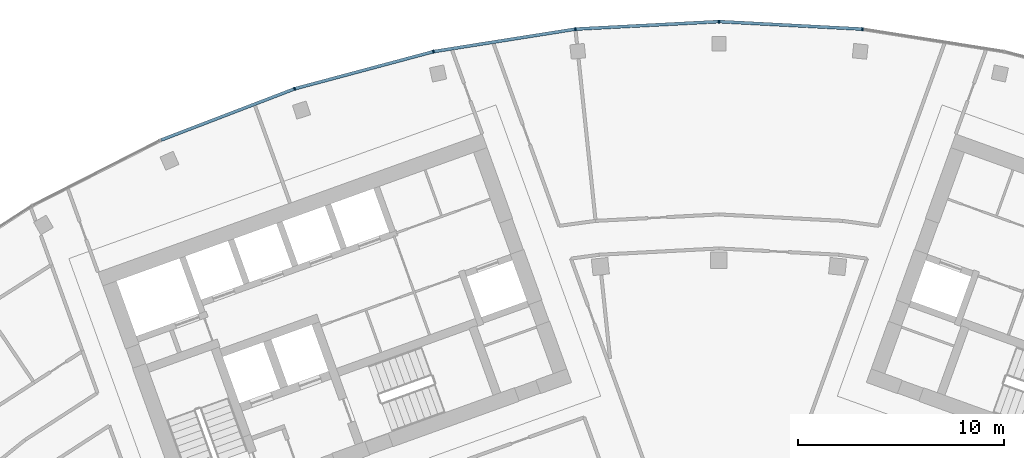
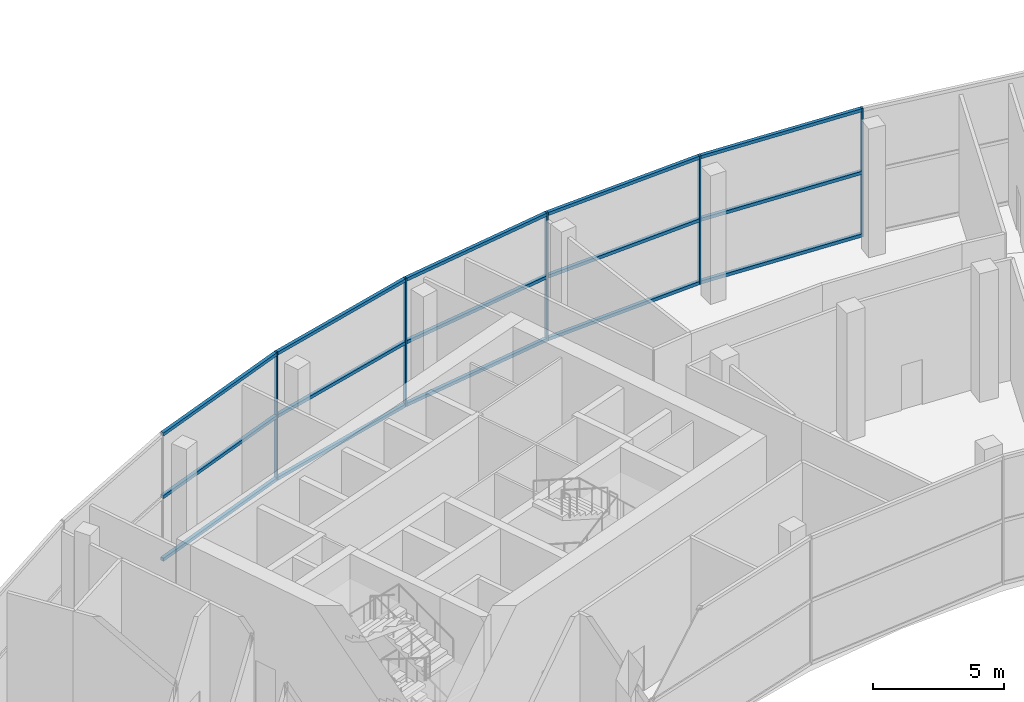
# One storey, part 5 of 18: 20 members, 1 element without a shape of its own.
"""IFC4 building model written with IfcOpenShell, lengths in metres."""

from ifc_helpers import new_model, si_unit, direction, frame, origin, origin_2d, place, context, subcontext, project, spatial, rectangle, extrude, material, layer, layer_set, material_profile, profile_set, type_object, element, aggregate, save


model = new_model("IFC4")

# Units and contexts
model_context = context("Model", 3, precision=1e-05, world=origin(), true_north=direction((0.0, 1.0)))
body_context = subcontext(model_context, "Body", "Model", "MODEL_VIEW")
ifc_project = project(units=[si_unit("LENGTHUNIT", "METRE"), si_unit("AREAUNIT", "SQUARE_METRE"), si_unit("VOLUMEUNIT", "CUBIC_METRE"), si_unit("PLANEANGLEUNIT", "RADIAN"), si_unit("MASSUNIT", "GRAM", prefix="KILO")], contexts=[model_context])

# Site, building, storey
site_placement = place(None, origin())
site = spatial("IfcSite", under=ifc_project, at=site_placement, CompositionType="ELEMENT")
building_placement = place(site_placement, origin())
building = spatial("IfcBuilding", under=site, at=building_placement, Name="Stone Belt Terrace Tower", CompositionType="ELEMENT")
storey_placement = place(building_placement, frame((0.0, 0.0, 307.39990234375)))
storey = spatial("IfcBuildingStorey", under=building, at=storey_placement, Name="L75", CompositionType="ELEMENT", Elevation=307.39990234375)

# Curtain wall, members
ifc_material = material(Name="Aluminium 6063-T6 anodised frame", Category="aluminium")
ifc_layer = layer(ifc_material, 0.14990234375)
ifc_layer_set = layer_set([ifc_layer], Name="CW-F observation floor curtain wall")
curtain_wall_type = type_object("IfcCurtainWallType", Name="CW-F observation floor curtain wall", PredefinedType="NOTDEFINED", material=ifc_layer_set)
curtain_wall_placement = place(storey_placement, origin())
curtain_wall = element("IfcCurtainWall", 1, at=curtain_wall_placement, inside=storey, type_object=curtain_wall_type, Name="CW-F convex face L75", PredefinedType="NOTDEFINED")
ifc_material_profile_1 = material_profile(ifc_material, rectangle(XDim=0.14990234375, YDim=0.070068359375, at=origin_2d()), Name="Aluminium 6063-T6 70x150")
ifc_profile_set_1 = profile_set([ifc_material_profile_1], Name="Aluminium 6063-T6 anodised frame")
member_type_1 = type_object("IfcMemberType", Name="CW-F mullion 70 x 150", PredefinedType="MULLION", material=ifc_profile_set_1)
member_1_placement = place(storey_placement, frame((6.958984375, 66.21044921875, 0.0), z_axis=(0.0, 0.0, 1.0), x_axis=(-0.104528463268, -0.994521895368, 0.0)))
member_1 = element("IfcMember", 2, at=member_1_placement, type_object=member_type_1, Name="CW-F mullion 7", PredefinedType="MULLION", context=body_context, shape_type="SweptSolid", body=[
    extrude(rectangle(XDim=0.14990234375, YDim=0.070068359375, at=origin_2d()), origin(), (0.0, 0.0, 1.0), 6.0),
])
member_2_placement = place(storey_placement, frame((0.0, 66.5751953125, 0.0), z_axis=(0.0, 0.0, 1.0), x_axis=(0.0, -1.0, 0.0)))
member_2 = element("IfcMember", 3, at=member_2_placement, type_object=member_type_1, Name="CW-F mullion 8", PredefinedType="MULLION", context=body_context, shape_type="SweptSolid", body=[
    extrude(rectangle(XDim=0.14990234375, YDim=0.070068359375, at=origin_2d()), origin(), (0.0, 0.0, 1.0), 6.0),
])
member_3_placement = place(storey_placement, frame((-6.958984375, 66.21044921875, 0.0), z_axis=(0.0, 0.0, 1.0), x_axis=(0.104528463268, -0.994521895368, 0.0)))
member_3 = element("IfcMember", 4, at=member_3_placement, type_object=member_type_1, Name="CW-F mullion 9", PredefinedType="MULLION", context=body_context, shape_type="SweptSolid", body=[
    extrude(rectangle(XDim=0.14990234375, YDim=0.070068359375, at=origin_2d()), origin(), (0.0, 0.0, 1.0), 6.0),
])
member_4_placement = place(storey_placement, frame((-13.841796875, 65.120361328125, 0.0), z_axis=(0.0, 0.0, 1.0), x_axis=(0.207911690818, -0.978147600734, 0.0)))
member_4 = element("IfcMember", 5, at=member_4_placement, type_object=member_type_1, Name="CW-F mullion 10", PredefinedType="MULLION", context=body_context, shape_type="SweptSolid", body=[
    extrude(rectangle(XDim=0.14990234375, YDim=0.070068359375, at=origin_2d()), origin(), (0.0, 0.0, 1.0), 6.0),
])
member_5_placement = place(storey_placement, frame((-20.57275390625, 63.316650390625, 0.0), z_axis=(0.0, 0.0, 1.0), x_axis=(0.309016994375, -0.951056516295, 0.0)))
member_5 = element("IfcMember", 6, at=member_5_placement, type_object=member_type_1, Name="CW-F mullion 11", PredefinedType="MULLION", context=body_context, shape_type="SweptSolid", body=[
    extrude(rectangle(XDim=0.14990234375, YDim=0.070068359375, at=origin_2d()), origin(), (0.0, 0.0, 1.0), 6.0),
])
ifc_material_profile_2 = material_profile(ifc_material, rectangle(XDim=0.14990234375, YDim=0.14990234375, at=origin_2d()), Name="Aluminium 6063-T6 150x150")
ifc_profile_set_2 = profile_set([ifc_material_profile_2], Name="Aluminium 6063-T6 anodised frame")
member_type_2 = type_object("IfcMemberType", Name="CW-F transom 150 x 150", PredefinedType="USERDEFINED", material=ifc_profile_set_2)
member_6_placement = place(storey_placement, frame((6.920166015625, 66.21240234375, 0.0751953125), z_axis=(-0.998629841506, 0.052330102743, 0.0), x_axis=(-0.052330102743, -0.998629841506, 0.0)))
member_6 = element("IfcMember", 7, at=member_6_placement, type_object=member_type_2, Name="CW-F transom 7.1", ObjectType="TRANSOM", PredefinedType="USERDEFINED", context=body_context, shape_type="SweptSolid", body=[
    extrude(rectangle(XDim=0.14990234375, YDim=0.14990234375, at=origin_2d()), origin(), (0.0, 0.0, 1.0), 6.890869140625),
])
member_7_placement = place(storey_placement, frame((6.920166015625, 66.21240234375, 3.0), z_axis=(-0.998629841506, 0.052330102743, 0.0), x_axis=(-0.052330102743, -0.998629841506, 0.0)))
member_7 = element("IfcMember", 8, at=member_7_placement, type_object=member_type_2, Name="CW-F transom 7.2", ObjectType="TRANSOM", PredefinedType="USERDEFINED", context=body_context, shape_type="SweptSolid", body=[
    extrude(rectangle(XDim=0.14990234375, YDim=0.14990234375, at=origin_2d()), origin(), (0.0, 0.0, 1.0), 6.890869140625),
])
member_8_placement = place(storey_placement, frame((6.920166015625, 66.21240234375, 5.925048828125), z_axis=(-0.998629841506, 0.052330102743, 0.0), x_axis=(-0.052330102743, -0.998629841506, 0.0)))
member_8 = element("IfcMember", 9, at=member_8_placement, type_object=member_type_2, Name="CW-F transom 7.3", ObjectType="TRANSOM", PredefinedType="USERDEFINED", context=body_context, shape_type="SweptSolid", body=[
    extrude(rectangle(XDim=0.14990234375, YDim=0.14990234375, at=origin_2d()), origin(), (0.0, 0.0, 1.0), 6.890869140625),
])
member_9_placement = place(storey_placement, frame((-0.038818359375, 66.572998046875, 0.0751953125), z_axis=(-0.998629841506, -0.052330102743, 0.0), x_axis=(0.052330102743, -0.998629841506, 0.0)))
member_9 = element("IfcMember", 10, at=member_9_placement, type_object=member_type_2, Name="CW-F transom 8.1", ObjectType="TRANSOM", PredefinedType="USERDEFINED", context=body_context, shape_type="SweptSolid", body=[
    extrude(rectangle(XDim=0.14990234375, YDim=0.14990234375, at=origin_2d()), origin(), (0.0, 0.0, 1.0), 6.890869140625),
])
member_10_placement = place(storey_placement, frame((-0.038818359375, 66.572998046875, 3.0), z_axis=(-0.998629841506, -0.052330102743, 0.0), x_axis=(0.052330102743, -0.998629841506, 0.0)))
member_10 = element("IfcMember", 11, at=member_10_placement, type_object=member_type_2, Name="CW-F transom 8.2", ObjectType="TRANSOM", PredefinedType="USERDEFINED", context=body_context, shape_type="SweptSolid", body=[
    extrude(rectangle(XDim=0.14990234375, YDim=0.14990234375, at=origin_2d()), origin(), (0.0, 0.0, 1.0), 6.890869140625),
])
member_11_placement = place(storey_placement, frame((-0.038818359375, 66.572998046875, 5.925048828125), z_axis=(-0.998629841506, -0.052330102743, 0.0), x_axis=(0.052330102743, -0.998629841506, 0.0)))
member_11 = element("IfcMember", 12, at=member_11_placement, type_object=member_type_2, Name="CW-F transom 8.3", ObjectType="TRANSOM", PredefinedType="USERDEFINED", context=body_context, shape_type="SweptSolid", body=[
    extrude(rectangle(XDim=0.14990234375, YDim=0.14990234375, at=origin_2d()), origin(), (0.0, 0.0, 1.0), 6.890869140625),
])
member_12_placement = place(storey_placement, frame((-6.997314453125, 66.204345703125, 0.0751953125), z_axis=(-0.987689890003, -0.156424682152, 0.0), x_axis=(0.156424682152, -0.987689890003, 0.0)))
member_12 = element("IfcMember", 13, at=member_12_placement, type_object=member_type_2, Name="CW-F transom 9.1", ObjectType="TRANSOM", PredefinedType="USERDEFINED", context=body_context, shape_type="SweptSolid", body=[
    extrude(rectangle(XDim=0.14990234375, YDim=0.14990234375, at=origin_2d()), origin(), (0.0, 0.0, 1.0), 6.890625),
])
member_13_placement = place(storey_placement, frame((-6.997314453125, 66.204345703125, 3.0), z_axis=(-0.987689890003, -0.156424682152, 0.0), x_axis=(0.156424682152, -0.987689890003, 0.0)))
member_13 = element("IfcMember", 14, at=member_13_placement, type_object=member_type_2, Name="CW-F transom 9.2", ObjectType="TRANSOM", PredefinedType="USERDEFINED", context=body_context, shape_type="SweptSolid", body=[
    extrude(rectangle(XDim=0.14990234375, YDim=0.14990234375, at=origin_2d()), origin(), (0.0, 0.0, 1.0), 6.890625),
])
member_14_placement = place(storey_placement, frame((-6.997314453125, 66.204345703125, 5.925048828125), z_axis=(-0.987689890003, -0.156424682152, 0.0), x_axis=(0.156424682152, -0.987689890003, 0.0)))
member_14 = element("IfcMember", 15, at=member_14_placement, type_object=member_type_2, Name="CW-F transom 9.3", ObjectType="TRANSOM", PredefinedType="USERDEFINED", context=body_context, shape_type="SweptSolid", body=[
    extrude(rectangle(XDim=0.14990234375, YDim=0.14990234375, at=origin_2d()), origin(), (0.0, 0.0, 1.0), 6.890625),
])
member_15_placement = place(storey_placement, frame((-13.87939453125, 65.110107421875, 0.0751953125), z_axis=(-0.965926701698, -0.258815778011, 0.0), x_axis=(0.258815778011, -0.965926701698, 0.0)))
member_15 = element("IfcMember", 16, at=member_15_placement, type_object=member_type_2, Name="CW-F transom 10.1", ObjectType="TRANSOM", PredefinedType="USERDEFINED", context=body_context, shape_type="SweptSolid", body=[
    extrude(rectangle(XDim=0.14990234375, YDim=0.14990234375, at=origin_2d()), origin(), (0.0, 0.0, 1.0), 6.890869140625),
])
member_16_placement = place(storey_placement, frame((-13.87939453125, 65.110107421875, 3.0), z_axis=(-0.965926701698, -0.258815778011, 0.0), x_axis=(0.258815778011, -0.965926701698, 0.0)))
member_16 = element("IfcMember", 17, at=member_16_placement, type_object=member_type_2, Name="CW-F transom 10.2", ObjectType="TRANSOM", PredefinedType="USERDEFINED", context=body_context, shape_type="SweptSolid", body=[
    extrude(rectangle(XDim=0.14990234375, YDim=0.14990234375, at=origin_2d()), origin(), (0.0, 0.0, 1.0), 6.890869140625),
])
member_17_placement = place(storey_placement, frame((-13.87939453125, 65.110107421875, 5.925048828125), z_axis=(-0.965926701698, -0.258815778011, 0.0), x_axis=(0.258815778011, -0.965926701698, 0.0)))
member_17 = element("IfcMember", 18, at=member_17_placement, type_object=member_type_2, Name="CW-F transom 10.3", ObjectType="TRANSOM", PredefinedType="USERDEFINED", context=body_context, shape_type="SweptSolid", body=[
    extrude(rectangle(XDim=0.14990234375, YDim=0.14990234375, at=origin_2d()), origin(), (0.0, 0.0, 1.0), 6.890869140625),
])
member_18_placement = place(storey_placement, frame((-20.609130859375, 63.302734375, 0.0751953125), z_axis=(-0.933578261099, -0.358373590551, 0.0), x_axis=(0.358373590551, -0.933578261099, 0.0)))
member_18 = element("IfcMember", 19, at=member_18_placement, type_object=member_type_2, Name="CW-F transom 11.1", ObjectType="TRANSOM", PredefinedType="USERDEFINED", context=body_context, shape_type="SweptSolid", body=[
    extrude(rectangle(XDim=0.14990234375, YDim=0.14990234375, at=origin_2d()), origin(), (0.0, 0.0, 1.0), 6.890869140625),
])
member_19_placement = place(storey_placement, frame((-20.609130859375, 63.302734375, 3.0), z_axis=(-0.933578261099, -0.358373590551, 0.0), x_axis=(0.358373590551, -0.933578261099, 0.0)))
member_19 = element("IfcMember", 20, at=member_19_placement, type_object=member_type_2, Name="CW-F transom 11.2", ObjectType="TRANSOM", PredefinedType="USERDEFINED", context=body_context, shape_type="SweptSolid", body=[
    extrude(rectangle(XDim=0.14990234375, YDim=0.14990234375, at=origin_2d()), origin(), (0.0, 0.0, 1.0), 6.890869140625),
])
member_20_placement = place(storey_placement, frame((-20.609130859375, 63.302734375, 5.925048828125), z_axis=(-0.933578261099, -0.358373590551, 0.0), x_axis=(0.358373590551, -0.933578261099, 0.0)))
member_20 = element("IfcMember", 21, at=member_20_placement, type_object=member_type_2, Name="CW-F transom 11.3", ObjectType="TRANSOM", PredefinedType="USERDEFINED", context=body_context, shape_type="SweptSolid", body=[
    extrude(rectangle(XDim=0.14990234375, YDim=0.14990234375, at=origin_2d()), origin(), (0.0, 0.0, 1.0), 6.890869140625),
])
aggregate(curtain_wall, [member_1, member_2, member_3, member_4, member_5, member_6, member_7, member_8, member_9, member_10, member_11, member_12, member_13, member_14, member_15, member_16, member_17, member_18, member_19, member_20])

save(model, "model.ifc")
